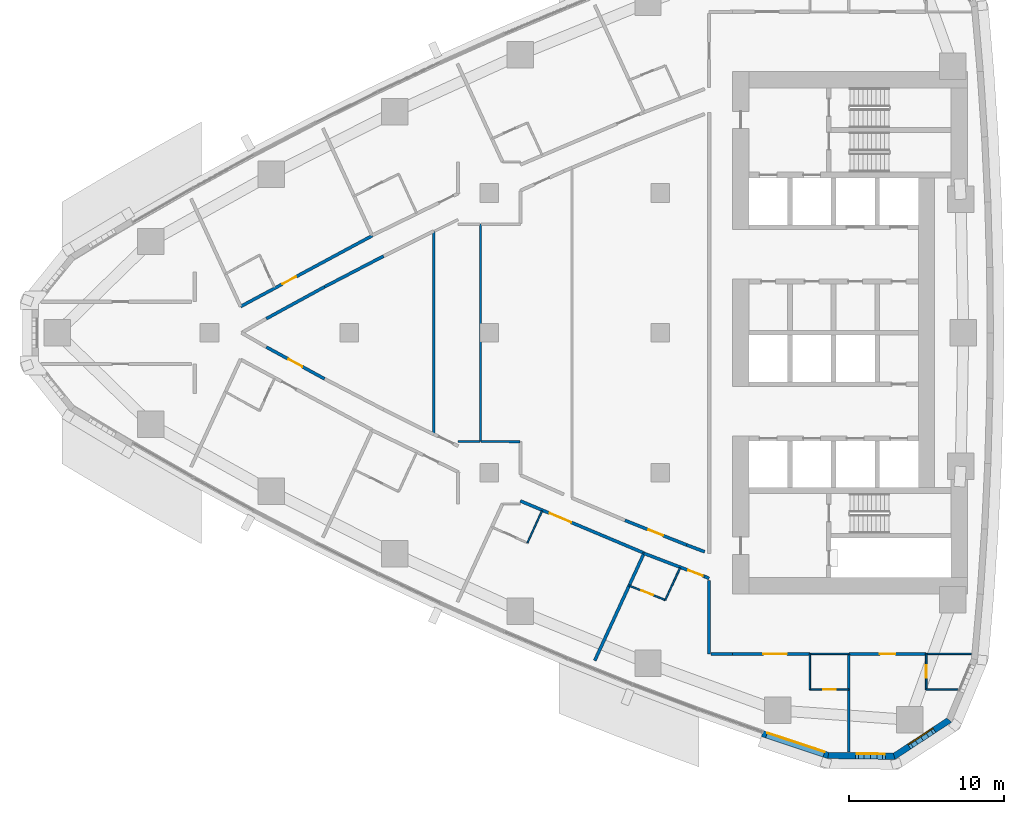
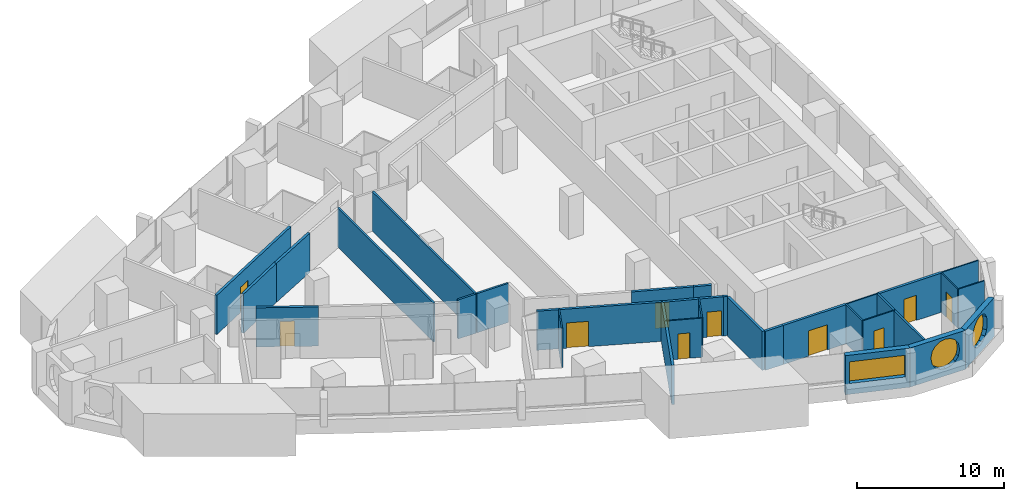
# One storey, part 9 of 17: 31 walls, 10 doors, 3 windows, 13 openings.
"""IFC4 building model written with IfcOpenShell, lengths in metres."""

from ifc_helpers import new_model, si_unit, direction, frame, frame_2d, origin, place, context, subcontext, project, spatial, polyline, rectangle, outline, extrude, material, layer, layer_set, type_object, element, fill, save


model = new_model("IFC4")

# Units and contexts
model_context = context("Model", 3, precision=1e-05, world=origin(), true_north=direction((0.0, 1.0)))
body_context = subcontext(model_context, "Body", "Model", "MODEL_VIEW")
ifc_project = project(units=[si_unit("LENGTHUNIT", "METRE"), si_unit("AREAUNIT", "SQUARE_METRE"), si_unit("VOLUMEUNIT", "CUBIC_METRE"), si_unit("PLANEANGLEUNIT", "RADIAN"), si_unit("MASSUNIT", "GRAM", prefix="KILO")], contexts=[model_context])

# Site, building, storey
site_placement = place(None, origin())
site = spatial("IfcSite", under=ifc_project, at=site_placement, CompositionType="ELEMENT")
building_placement = place(site_placement, origin())
building = spatial("IfcBuilding", under=site, at=building_placement, Name="Ostrand Prow Hotel Tower", CompositionType="ELEMENT")
storey_placement = place(building_placement, frame((0.0, 0.0, 92.0)))
storey = spatial("IfcBuildingStorey", under=building, at=storey_placement, Name="L21", CompositionType="ELEMENT", Elevation=92.0)

# Wall
ifc_material_1 = material(Name="Plasterboard partition")
ifc_layer_1 = layer(ifc_material_1, 0.10009765625)
ifc_layer_set_1 = layer_set([ifc_layer_1], Name="Plasterboard partition")
wall_type_1 = type_object("IfcWallType", Name="Partition 100 bathroom wall", PredefinedType="PARTITIONING", material=ifc_layer_set_1)
wall_1_placement = place(storey_placement, frame((54.630615234375, -22.949951171875, 0.0), z_axis=(0.0, 0.0, 1.0), x_axis=(0.0, 1.0, 0.0)))
element("IfcWall", 1, at=wall_1_placement, inside=storey, type_object=wall_type_1, Name="BATHROOM WALL", PredefinedType="PARTITIONING", context=body_context, shape_type="SweptSolid", body=[
    extrude(rectangle(XDim=2.300048828125, YDim=0.10009765625, at=frame_2d((1.14990234375, 0.0))), origin(), (0.0, 0.0, 1.0), 3.25),
])

# Wall, opening, door
wall_2_placement = place(storey_placement, frame((57.130615234375, -22.949951171875, 0.0), z_axis=(0.0, 0.0, 1.0), x_axis=(-1.0, 0.0, 0.0)))
wall_2 = element("IfcWall", 2, at=wall_2_placement, inside=storey, type_object=wall_type_1, Name="BATHROOM WALL", PredefinedType="PARTITIONING", context=body_context, shape_type="SweptSolid", body=[
    extrude(rectangle(XDim=2.5, YDim=0.10009765625, at=frame_2d((1.25, 0.0))), origin(), (0.0, 0.0, 1.0), 3.25),
])
opening_1_placement = place(wall_2_placement, frame((0.85009765625, 0.0, 0.0)))
opening_1 = element("IfcOpeningElement", 3, at=opening_1_placement, cuts=wall_2, Name="Opening D2", PredefinedType="OPENING", context=body_context, shape_type="SweptSolid", body=[
    extrude(rectangle(XDim=0.800048828125, YDim=2.10009765625, at=frame_2d((0.39990234375, 1.050048828125))), frame((0.0, 0.06005859375, 0.0), z_axis=(0.0, -1.0, 0.0), x_axis=(1.0, 0.0, 0.0)), (0.0, 0.0, 1.0), 0.1201171875),
])
ifc_material_2 = material(Name="Timber door leaf", Category="wood")
door_type_1 = type_object("IfcDoorType", Name="Bathroom door 800", OperationType="SINGLE_SWING_LEFT", PredefinedType="DOOR", material=ifc_material_2)
door_1_placement = place(opening_1_placement, origin())
door_1 = element("IfcDoor", 4, at=door_1_placement, inside=storey, type_object=door_type_1, Name="DOOR", OperationType="SINGLE_SWING_LEFT", OverallHeight=2.10009765625, OverallWidth=0.800048828125, PredefinedType="DOOR", context=body_context, shape_type="SweptSolid", body=[
    extrude(rectangle(XDim=0.800048828125, YDim=2.10009765625, at=frame_2d((0.39990234375, 1.050048828125))), frame((0.0, 0.02490234375, 0.0), z_axis=(0.0, -1.0, 0.0), x_axis=(1.0, 0.0, 0.0)), (0.0, 0.0, 1.0), 0.050048828125),
])
fill(opening_1, door_1)

# Wall
wall_3_placement = place(storey_placement, frame((64.160400390625, -22.949951171875, 0.0), z_axis=(0.0, 0.0, 1.0), x_axis=(-1.0, 0.0, 0.0)))
element("IfcWall", 5, at=wall_3_placement, inside=storey, type_object=wall_type_1, Name="BATHROOM WALL", PredefinedType="PARTITIONING", context=body_context, shape_type="SweptSolid", body=[
    extrude(rectangle(XDim=2.04931640625, YDim=0.10009765625, at=frame_2d((1.024658203125, 0.0))), origin(), (0.0, 0.0, 1.0), 3.25),
])

# Wall, opening, door
wall_4_placement = place(storey_placement, frame((62.111083984375, -22.949951171875, 0.0), z_axis=(0.0, 0.0, 1.0), x_axis=(0.0, 1.0, 0.0)))
wall_4 = element("IfcWall", 6, at=wall_4_placement, inside=storey, type_object=wall_type_1, Name="BATHROOM WALL", PredefinedType="PARTITIONING", context=body_context, shape_type="SweptSolid", body=[
    extrude(rectangle(XDim=2.300048828125, YDim=0.10009765625, at=frame_2d((1.14990234375, 0.0))), origin(), (0.0, 0.0, 1.0), 3.25),
])
opening_2_placement = place(wall_4_placement, frame((0.75, 0.0, 0.0)))
opening_2 = element("IfcOpeningElement", 7, at=opening_2_placement, cuts=wall_4, Name="Opening D2", PredefinedType="OPENING", context=body_context, shape_type="SweptSolid", body=[
    extrude(rectangle(XDim=0.800048828125, YDim=2.10009765625, at=frame_2d((0.39990234375, 1.050048828125))), frame((0.0, 0.06005859375, 0.0), z_axis=(0.0, -1.0, 0.0), x_axis=(1.0, 0.0, 0.0)), (0.0, 0.0, 1.0), 0.1201171875),
])
door_2_placement = place(opening_2_placement, origin())
door_2 = element("IfcDoor", 8, at=door_2_placement, inside=storey, type_object=door_type_1, Name="DOOR", OperationType="SINGLE_SWING_LEFT", OverallHeight=2.10009765625, OverallWidth=0.800048828125, PredefinedType="DOOR", context=body_context, shape_type="SweptSolid", body=[
    extrude(rectangle(XDim=0.800048828125, YDim=2.10009765625, at=frame_2d((0.39990234375, 1.050048828125))), frame((0.0, 0.02490234375, 0.0), z_axis=(0.0, -1.0, 0.0), x_axis=(1.0, 0.0, 0.0)), (0.0, 0.0, 1.0), 0.050048828125),
])
fill(opening_2, door_2)

# Walls
wall_5_placement = place(storey_placement, frame((37.400390625, -11.443359375, 0.0), z_axis=(0.0, 0.0, 1.0), x_axis=(-0.417466676952, -0.908692232626, 0.0)))
element("IfcWall", 9, at=wall_5_placement, inside=storey, type_object=wall_type_1, Name="BATHROOM WALL", PredefinedType="PARTITIONING", context=body_context, shape_type="SweptSolid", body=[
    extrude(rectangle(XDim=2.27734375, YDim=0.10009765625, at=frame_2d((1.138671875, 0.0))), origin(), (0.0, 0.0, 1.0), 3.25),
])
wall_6_placement = place(storey_placement, frame((46.277587890625, -15.116455078125, 0.0), z_axis=(0.0, 0.0, 1.0), x_axis=(-0.417409478396, -0.90871850831, 0.0)))
element("IfcWall", 10, at=wall_6_placement, inside=storey, type_object=wall_type_1, Name="BATHROOM WALL", PredefinedType="PARTITIONING", context=body_context, shape_type="SweptSolid", body=[
    extrude(rectangle(XDim=2.282958984375, YDim=0.10009765625, at=frame_2d((1.1416015625, 0.0))), origin(), (0.0, 0.0, 1.0), 3.25),
])

# Wall, opening, door
wall_7_placement = place(storey_placement, frame((45.3212890625, -17.189697265625, 0.0), z_axis=(0.0, 0.0, 1.0), x_axis=(-0.928618072339, 0.371037027431, 0.0)))
wall_7 = element("IfcWall", 11, at=wall_7_placement, inside=storey, type_object=wall_type_1, Name="BATHROOM WALL", PredefinedType="PARTITIONING", context=body_context, shape_type="SweptSolid", body=[
    extrude(rectangle(XDim=2.499755859375, YDim=0.10009765625, at=frame_2d((1.25, 0.0))), origin(), (0.0, 0.0, 1.0), 3.25),
])
opening_3_placement = place(wall_7_placement, frame((0.85009765625, 0.0, 0.0)))
opening_3 = element("IfcOpeningElement", 12, at=opening_3_placement, cuts=wall_7, Name="Opening D2", PredefinedType="OPENING", context=body_context, shape_type="SweptSolid", body=[
    extrude(rectangle(XDim=0.800048828125, YDim=2.10009765625, at=frame_2d((0.39990234375, 1.050048828125))), frame((0.0, 0.06005859375, 0.0), z_axis=(0.0, -1.0, 0.0), x_axis=(1.0, 0.0, 0.0)), (0.0, 0.0, 1.0), 0.1201171875),
])
door_3_placement = place(opening_3_placement, origin())
door_3 = element("IfcDoor", 13, at=door_3_placement, inside=storey, type_object=door_type_1, Name="DOOR", OperationType="SINGLE_SWING_LEFT", OverallHeight=2.10009765625, OverallWidth=0.800048828125, PredefinedType="DOOR", context=body_context, shape_type="SweptSolid", body=[
    extrude(rectangle(XDim=0.800048828125, YDim=2.10009765625, at=frame_2d((0.39990234375, 1.050048828125))), frame((0.0, 0.02490234375, 0.0), z_axis=(0.0, -1.0, 0.0), x_axis=(1.0, 0.0, 0.0)), (0.0, 0.0, 1.0), 0.050048828125),
])
fill(opening_3, door_3)

# Walls
wall_8_placement = place(storey_placement, frame((54.630615234375, -20.655029296875, 0.0), z_axis=(0.0, 0.0, 1.0), x_axis=(1.0, 0.0, 0.0)))
element("IfcWall", 14, at=wall_8_placement, inside=storey, type_object=wall_type_1, Name="BATHROOM WALL", PredefinedType="PARTITIONING", context=body_context, shape_type="SweptSolid", body=[
    extrude(rectangle(XDim=2.5, YDim=0.10009765625, at=frame_2d((1.25, 0.0))), origin(), (0.0, 0.0, 1.0), 3.25),
])
wall_9_placement = place(storey_placement, frame((62.111083984375, -20.655029296875, 0.0), z_axis=(0.0, 0.0, 1.0), x_axis=(1.0, 0.0, 0.0)))
element("IfcWall", 15, at=wall_9_placement, inside=storey, type_object=wall_type_1, Name="BATHROOM WALL", PredefinedType="PARTITIONING", context=body_context, shape_type="SweptSolid", body=[
    extrude(rectangle(XDim=2.90576171875, YDim=0.10009765625, at=frame_2d((1.452880859375, 0.0))), origin(), (0.0, 0.0, 1.0), 3.25),
])
ifc_material_3 = material(Name="Plasterboard partition")
ifc_layer_2 = layer(ifc_material_3, 0.14990234375)
ifc_layer_set_2 = layer_set([ifc_layer_2], Name="Plasterboard partition")
wall_type_2 = type_object("IfcWallType", Name="Partition 150 room partition", PredefinedType="PARTITIONING", material=ifc_layer_set_2)
wall_10_placement = place(storey_placement, frame((57.130615234375, -26.97900390625, 0.0), z_axis=(0.0, 0.0, 1.0), x_axis=(0.0, 1.0, 0.0)))
element("IfcWall", 16, at=wall_10_placement, inside=storey, type_object=wall_type_2, Name="ROOM PARTITION", PredefinedType="PARTITIONING", context=body_context, shape_type="SweptSolid", body=[
    extrude(rectangle(XDim=6.3291015625, YDim=0.14990234375, at=frame_2d((3.16455078125, 0.0))), origin(), (0.0, 0.0, 1.0), 3.25),
])
wall_11_placement = place(storey_placement, frame((30.4296875, -6.53857421875, 0.0), z_axis=(0.0, 0.0, 1.0), x_axis=(0.0, 1.0, 0.0)))
element("IfcWall", 17, at=wall_11_placement, inside=storey, type_object=wall_type_2, Name="ROOM PARTITION", PredefinedType="PARTITIONING", context=body_context, shape_type="SweptSolid", body=[
    extrude(rectangle(XDim=13.0771484375, YDim=0.14990234375, at=frame_2d((6.53857421875, 0.0))), origin(), (0.0, 0.0, 1.0), 3.25),
])
wall_12_placement = place(storey_placement, frame((33.4296875, -7.0, 0.0), z_axis=(0.0, 0.0, 1.0), x_axis=(0.0, 1.0, 0.0)))
element("IfcWall", 18, at=wall_12_placement, inside=storey, type_object=wall_type_2, Name="ROOM PARTITION", PredefinedType="PARTITIONING", context=body_context, shape_type="SweptSolid", body=[
    extrude(rectangle(XDim=14.0, YDim=0.14990234375, at=frame_2d((7.0, 0.0))), origin(), (0.0, 0.0, 1.0), 3.25),
])
wall_13_placement = place(storey_placement, frame((33.3896484375, -6.9951171875, 0.0), z_axis=(0.0, 0.0, 1.0), x_axis=(-1.0, 0.0, 0.0)))
element("IfcWall", 19, at=wall_13_placement, inside=storey, type_object=wall_type_2, Name="ROOM PARTITION", PredefinedType="PARTITIONING", context=body_context, shape_type="SweptSolid", body=[
    extrude(rectangle(XDim=1.390625, YDim=0.14990234375, at=frame_2d((0.6953125, 0.0))), origin(), (0.0, 0.0, 1.0), 3.25),
])
wall_14_placement = place(storey_placement, frame((35.962890625, -6.995849609375, 0.0), z_axis=(0.0, 0.0, 1.0), x_axis=(-0.999999956849, 0.00029377202, 0.0)))
element("IfcWall", 20, at=wall_14_placement, inside=storey, type_object=wall_type_2, Name="ROOM PARTITION", PredefinedType="PARTITIONING", context=body_context, shape_type="SweptSolid", body=[
    extrude(rectangle(XDim=2.4931640625, YDim=0.14990234375, at=frame_2d((1.24658203125, 0.0))), origin(), (0.0, 0.0, 1.0), 3.25),
])

# Wall, opening, door
ifc_material_4 = material(Name="Plasterboard partition")
ifc_layer_3 = layer(ifc_material_4, 0.199951171875)
ifc_layer_set_3 = layer_set([ifc_layer_3], Name="Plasterboard partition")
wall_type_3 = type_object("IfcWallType", Name="Partition 200 corridor wall", PredefinedType="PARTITIONING", material=ifc_layer_set_3)
wall_15_placement = place(storey_placement, frame((18.0, 1.691650390625, 0.0), z_axis=(0.0, 0.0, 1.0), x_axis=(0.880624272242, 0.473815250006, 0.0)))
wall_15 = element("IfcWall", 21, at=wall_15_placement, inside=storey, type_object=wall_type_3, Name="CORRIDOR WALL", PredefinedType="PARTITIONING", context=body_context, shape_type="SweptSolid", body=[
    extrude(rectangle(XDim=9.618896484375, YDim=0.199951171875, at=frame_2d((4.8095703125, 0.0))), origin(), (0.0, 0.0, 1.0), 3.25),
])
opening_4_placement = place(wall_15_placement, frame((3.050048828125, 0.0, 0.0)))
opening_4 = element("IfcOpeningElement", 22, at=opening_4_placement, cuts=wall_15, Name="Opening D1R", PredefinedType="OPENING", context=body_context, shape_type="SweptSolid", body=[
    extrude(rectangle(XDim=1.0, YDim=2.10009765625, at=frame_2d((0.5, 1.050048828125))), frame((0.0, 0.10986328125, 0.0), z_axis=(0.0, -1.0, 0.0), x_axis=(1.0, 0.0, 0.0)), (0.0, 0.0, 1.0), 0.219970703125),
])
ifc_material_5 = material(Name="Timber door leaf", Category="wood")
door_type_2 = type_object("IfcDoorType", Name="Guest room door 1000 right", OperationType="SINGLE_SWING_RIGHT", PredefinedType="DOOR", material=ifc_material_5)
door_4_placement = place(opening_4_placement, origin())
door_4 = element("IfcDoor", 23, at=door_4_placement, inside=storey, type_object=door_type_2, Name="DOOR", OperationType="SINGLE_SWING_RIGHT", OverallHeight=2.10009765625, OverallWidth=1.0, PredefinedType="DOOR", context=body_context, shape_type="SweptSolid", body=[
    extrude(rectangle(XDim=1.0, YDim=2.10009765625, at=frame_2d((0.5, 1.050048828125))), frame((0.0, 0.02490234375, 0.0), z_axis=(0.0, -1.0, 0.0), x_axis=(1.0, 0.0, 0.0)), (0.0, 0.0, 1.0), 0.050048828125),
])
fill(opening_4, door_4)

wall_16_placement = place(storey_placement, frame((36.0, -10.814697265625, 0.0), z_axis=(0.0, 0.0, 1.0), x_axis=(0.921519373184, -0.388332389644, 0.0)))
wall_16 = element("IfcWall", 24, at=wall_16_placement, inside=storey, type_object=wall_type_3, Name="CORRIDOR WALL", PredefinedType="PARTITIONING", context=body_context, shape_type="SweptSolid", body=[
    extrude(rectangle(XDim=8.639404296875, YDim=0.199951171875, at=frame_2d((4.31982421875, 0.0))), origin(), (0.0, 0.0, 1.0), 3.25),
])
opening_5_placement = place(wall_16_placement, frame((2.050048828125, 0.0, 0.0)))
opening_5 = element("IfcOpeningElement", 25, at=opening_5_placement, cuts=wall_16, Name="Opening D15", PredefinedType="OPENING", context=body_context, shape_type="SweptSolid", body=[
    extrude(rectangle(XDim=1.5, YDim=2.10009765625, at=frame_2d((0.75, 1.050048828125))), frame((0.0, 0.10986328125, 0.0), z_axis=(0.0, -1.0, 0.0), x_axis=(1.0, 0.0, 0.0)), (0.0, 0.0, 1.0), 0.219970703125),
])
ifc_material_6 = material(Name="Timber door leaf", Category="wood")
door_type_3 = type_object("IfcDoorType", Name="Double door 1500", OperationType="DOUBLE_DOOR_SINGLE_SWING", PredefinedType="DOOR", material=ifc_material_6)
door_5_placement = place(opening_5_placement, origin())
door_5 = element("IfcDoor", 26, at=door_5_placement, inside=storey, type_object=door_type_3, Name="DOOR", OperationType="DOUBLE_DOOR_SINGLE_SWING", OverallHeight=2.10009765625, OverallWidth=1.5, PredefinedType="DOOR", context=body_context, shape_type="SweptSolid", body=[
    extrude(rectangle(XDim=1.5, YDim=2.10009765625, at=frame_2d((0.75, 1.050048828125))), frame((0.0, 0.02490234375, 0.0), z_axis=(0.0, -1.0, 0.0), x_axis=(1.0, 0.0, 0.0)), (0.0, 0.0, 1.0), 0.050048828125),
])
fill(opening_5, door_5)

wall_17_placement = place(storey_placement, frame((23.40673828125, -2.9619140625, 0.0), z_axis=(0.0, 0.0, 1.0), x_axis=(-0.877465075585, 0.479640533242, 0.0)))
wall_17 = element("IfcWall", 27, at=wall_17_placement, inside=storey, type_object=wall_type_3, Name="CORRIDOR WALL", PredefinedType="PARTITIONING", context=body_context, shape_type="SweptSolid", body=[
    extrude(rectangle(XDim=4.273193359375, YDim=0.199951171875, at=frame_2d((2.13671875, 0.0))), origin(), (0.0, 0.0, 1.0), 3.25),
])
opening_6_placement = place(wall_17_placement, frame((1.636474609375, 0.0, 0.0)))
opening_6 = element("IfcOpeningElement", 28, at=opening_6_placement, cuts=wall_17, Name="Opening D1R", PredefinedType="OPENING", context=body_context, shape_type="SweptSolid", body=[
    extrude(rectangle(XDim=1.0, YDim=2.10009765625, at=frame_2d((0.5, 1.050048828125))), frame((0.0, 0.10986328125, 0.0), z_axis=(0.0, -1.0, 0.0), x_axis=(1.0, 0.0, 0.0)), (0.0, 0.0, 1.0), 0.219970703125),
])
door_6_placement = place(opening_6_placement, origin())
door_6 = element("IfcDoor", 29, at=door_6_placement, inside=storey, type_object=door_type_2, Name="DOOR", OperationType="SINGLE_SWING_RIGHT", OverallHeight=2.10009765625, OverallWidth=1.0, PredefinedType="DOOR", context=body_context, shape_type="SweptSolid", body=[
    extrude(rectangle(XDim=1.0, YDim=2.10009765625, at=frame_2d((0.5, 1.050048828125))), frame((0.0, 0.02490234375, 0.0), z_axis=(0.0, -1.0, 0.0), x_axis=(1.0, 0.0, 0.0)), (0.0, 0.0, 1.0), 0.050048828125),
])
fill(opening_6, door_6)

# Walls
wall_18_placement = place(storey_placement, frame((19.6572265625, 0.912353515625, 0.0), z_axis=(0.0, 0.0, 1.0), x_axis=(0.877465075585, 0.479640533242, 0.0)))
element("IfcWall", 30, at=wall_18_placement, inside=storey, type_object=wall_type_3, Name="CORRIDOR WALL", PredefinedType="PARTITIONING", context=body_context, shape_type="SweptSolid", body=[
    extrude(rectangle(XDim=4.273193359375, YDim=0.199951171875, at=frame_2d((2.13671875, 0.0))), origin(), (0.0, 0.0, 1.0), 3.25),
])
wall_19_placement = place(storey_placement, frame((23.40673828125, 2.9619140625, 0.0), z_axis=(0.0, 0.0, 1.0), x_axis=(0.886899452904, 0.461962509775, 0.0)))
element("IfcWall", 31, at=wall_19_placement, inside=storey, type_object=wall_type_3, Name="CORRIDOR WALL", PredefinedType="PARTITIONING", context=body_context, shape_type="SweptSolid", body=[
    extrude(rectangle(XDim=4.272705078125, YDim=0.199951171875, at=frame_2d((2.13623046875, 0.0))), origin(), (0.0, 0.0, 1.0), 3.25),
])

# Wall, opening, door
wall_20_placement = place(storey_placement, frame((46.69580078125, -13.646728515625, 0.0), z_axis=(0.0, 0.0, 1.0), x_axis=(-0.928638161177, 0.370986745864, 0.0)))
wall_20 = element("IfcWall", 32, at=wall_20_placement, inside=storey, type_object=wall_type_3, Name="CORRIDOR WALL", PredefinedType="PARTITIONING", context=body_context, shape_type="SweptSolid", body=[
    extrude(rectangle(XDim=4.27294921875, YDim=0.199951171875, at=frame_2d((2.136474609375, 0.0))), origin(), (0.0, 0.0, 1.0), 3.25),
])
opening_7_placement = place(wall_20_placement, frame((1.636474609375, 0.0, 0.0)))
opening_7 = element("IfcOpeningElement", 33, at=opening_7_placement, cuts=wall_20, Name="Opening D1R", PredefinedType="OPENING", context=body_context, shape_type="SweptSolid", body=[
    extrude(rectangle(XDim=1.0, YDim=2.10009765625, at=frame_2d((0.5, 1.050048828125))), frame((0.0, 0.10986328125, 0.0), z_axis=(0.0, -1.0, 0.0), x_axis=(1.0, 0.0, 0.0)), (0.0, 0.0, 1.0), 0.219970703125),
])
door_7_placement = place(opening_7_placement, origin())
door_7 = element("IfcDoor", 34, at=door_7_placement, inside=storey, type_object=door_type_2, Name="DOOR", OperationType="SINGLE_SWING_RIGHT", OverallHeight=2.10009765625, OverallWidth=1.0, PredefinedType="DOOR", context=body_context, shape_type="SweptSolid", body=[
    extrude(rectangle(XDim=1.0, YDim=2.10009765625, at=frame_2d((0.5, 1.050048828125))), frame((0.0, 0.02490234375, 0.0), z_axis=(0.0, -1.0, 0.0), x_axis=(1.0, 0.0, 0.0)), (0.0, 0.0, 1.0), 0.050048828125),
])
fill(opening_7, door_7)

wall_21_placement = place(storey_placement, frame((49.64990234375, -20.655029296875, 0.0), z_axis=(0.0, 0.0, 1.0), x_axis=(1.0, 0.0, 0.0)))
wall_21 = element("IfcWall", 35, at=wall_21_placement, inside=storey, type_object=wall_type_3, Name="CORRIDOR WALL", PredefinedType="PARTITIONING", context=body_context, shape_type="SweptSolid", body=[
    extrude(rectangle(XDim=4.9755859375, YDim=0.199951171875, at=frame_2d((2.48779296875, 0.0))), origin(), (0.0, 0.0, 1.0), 3.25),
])
opening_8_placement = place(wall_21_placement, frame((1.98779296875, 0.0, 0.0)))
opening_8 = element("IfcOpeningElement", 36, at=opening_8_placement, cuts=wall_21, Name="Opening D15", PredefinedType="OPENING", context=body_context, shape_type="SweptSolid", body=[
    extrude(rectangle(XDim=1.5, YDim=2.10009765625, at=frame_2d((0.75, 1.050048828125))), frame((0.0, 0.10986328125, 0.0), z_axis=(0.0, -1.0, 0.0), x_axis=(1.0, 0.0, 0.0)), (0.0, 0.0, 1.0), 0.219970703125),
])
door_8_placement = place(opening_8_placement, origin())
door_8 = element("IfcDoor", 37, at=door_8_placement, inside=storey, type_object=door_type_3, Name="DOOR", OperationType="DOUBLE_DOOR_SINGLE_SWING", OverallHeight=2.10009765625, OverallWidth=1.5, PredefinedType="DOOR", context=body_context, shape_type="SweptSolid", body=[
    extrude(rectangle(XDim=1.5, YDim=2.10009765625, at=frame_2d((0.75, 1.050048828125))), frame((0.0, 0.02490234375, 0.0), z_axis=(0.0, -1.0, 0.0), x_axis=(1.0, 0.0, 0.0)), (0.0, 0.0, 1.0), 0.050048828125),
])
fill(opening_8, door_8)

wall_22_placement = place(storey_placement, frame((57.135498046875, -20.655029296875, 0.0), z_axis=(0.0, 0.0, 1.0), x_axis=(1.0, 0.0, 0.0)))
wall_22 = element("IfcWall", 38, at=wall_22_placement, inside=storey, type_object=wall_type_3, Name="CORRIDOR WALL", PredefinedType="PARTITIONING", context=body_context, shape_type="SweptSolid", body=[
    extrude(rectangle(XDim=4.970703125, YDim=0.199951171875, at=frame_2d((2.4853515625, 0.0))), origin(), (0.0, 0.0, 1.0), 3.25),
])
opening_9_placement = place(wall_22_placement, frame((1.9853515625, 0.0, 0.0)))
opening_9 = element("IfcOpeningElement", 39, at=opening_9_placement, cuts=wall_22, Name="Opening D1R", PredefinedType="OPENING", context=body_context, shape_type="SweptSolid", body=[
    extrude(rectangle(XDim=1.0, YDim=2.10009765625, at=frame_2d((0.5, 1.050048828125))), frame((0.0, 0.10986328125, 0.0), z_axis=(0.0, -1.0, 0.0), x_axis=(1.0, 0.0, 0.0)), (0.0, 0.0, 1.0), 0.219970703125),
])
door_9_placement = place(opening_9_placement, origin())
door_9 = element("IfcDoor", 40, at=door_9_placement, inside=storey, type_object=door_type_2, Name="DOOR", OperationType="SINGLE_SWING_RIGHT", OverallHeight=2.10009765625, OverallWidth=1.0, PredefinedType="DOOR", context=body_context, shape_type="SweptSolid", body=[
    extrude(rectangle(XDim=1.0, YDim=2.10009765625, at=frame_2d((0.5, 1.050048828125))), frame((0.0, 0.02490234375, 0.0), z_axis=(0.0, -1.0, 0.0), x_axis=(1.0, 0.0, 0.0)), (0.0, 0.0, 1.0), 0.050048828125),
])
fill(opening_9, door_9)

wall_23_placement = place(storey_placement, frame((43.952880859375, -14.187744140625, 0.0), z_axis=(0.0, 0.0, 1.0), x_axis=(0.934288494055, -0.356517895592, 0.0)))
wall_23 = element("IfcWall", 41, at=wall_23_placement, inside=storey, type_object=wall_type_3, Name="CORRIDOR WALL", PredefinedType="PARTITIONING", context=body_context, shape_type="SweptSolid", body=[
    extrude(rectangle(XDim=4.176513671875, YDim=0.199951171875, at=frame_2d((2.08837890625, 0.0))), origin(), (0.0, 0.0, 1.0), 3.25),
])
opening_10_placement = place(wall_23_placement, frame((3.050048828125, 0.0, 0.0)))
opening_10 = element("IfcOpeningElement", 42, at=opening_10_placement, cuts=wall_23, Name="Opening D1", PredefinedType="OPENING", context=body_context, shape_type="SweptSolid", body=[
    extrude(rectangle(XDim=1.0, YDim=2.10009765625, at=frame_2d((0.5, 1.050048828125))), frame((0.0, 0.10986328125, 0.0), z_axis=(0.0, -1.0, 0.0), x_axis=(1.0, 0.0, 0.0)), (0.0, 0.0, 1.0), 0.219970703125),
])
ifc_material_7 = material(Name="Timber door leaf", Category="wood")
door_type_4 = type_object("IfcDoorType", Name="Guest room door 1000", OperationType="SINGLE_SWING_LEFT", PredefinedType="DOOR", material=ifc_material_7)
door_10_placement = place(opening_10_placement, origin())
door_10 = element("IfcDoor", 43, at=door_10_placement, inside=storey, type_object=door_type_4, Name="DOOR", OperationType="SINGLE_SWING_LEFT", OverallHeight=2.10009765625, OverallWidth=1.0, PredefinedType="DOOR", context=body_context, shape_type="SweptSolid", body=[
    extrude(rectangle(XDim=1.0, YDim=2.10009765625, at=frame_2d((0.5, 1.050048828125))), frame((0.0, 0.02490234375, 0.0), z_axis=(0.0, -1.0, 0.0), x_axis=(1.0, 0.0, 0.0)), (0.0, 0.0, 1.0), 0.050048828125),
])
fill(opening_10, door_10)

# Walls
wall_24_placement = place(storey_placement, frame((47.85498046875, -14.0830078125, 0.0), z_axis=(0.0, 0.0, 1.0), x_axis=(-0.935907269358, 0.352246480696, 0.0)))
element("IfcWall", 44, at=wall_24_placement, inside=storey, type_object=wall_type_3, Name="CORRIDOR WALL", PredefinedType="PARTITIONING", context=body_context, shape_type="SweptSolid", body=[
    extrude(rectangle(XDim=1.238525390625, YDim=0.199951171875, at=frame_2d((0.619140625, 0.0))), origin(), (0.0, 0.0, 1.0), 3.25),
])
wall_25_placement = place(storey_placement, frame((47.85498046875, -15.6767578125, 0.0), z_axis=(0.0, 0.0, 1.0), x_axis=(0.919863783517, -0.392237963199, 0.0)))
element("IfcWall", 45, at=wall_25_placement, inside=storey, type_object=wall_type_3, Name="CORRIDOR WALL", PredefinedType="PARTITIONING", context=body_context, shape_type="SweptSolid", body=[
    extrude(rectangle(XDim=0.315673828125, YDim=0.199951171875, at=frame_2d((0.15771484375, 0.0))), origin(), (0.0, 0.0, 1.0), 3.25),
])
wall_26_placement = place(storey_placement, frame((48.145263671875, -15.92041015625, 0.0), z_axis=(0.0, 0.0, 1.0), x_axis=(-5.1610239e-05, -0.999999998668, 0.0)))
element("IfcWall", 46, at=wall_26_placement, inside=storey, type_object=wall_type_3, Name="CORRIDOR WALL", PredefinedType="PARTITIONING", context=body_context, shape_type="SweptSolid", body=[
    extrude(rectangle(XDim=4.73046875, YDim=0.199951171875, at=frame_2d((2.365234375, 0.0))), origin(), (0.0, 0.0, 1.0), 3.25),
])
wall_27_placement = place(storey_placement, frame((48.26513671875, -20.6513671875, 0.0), z_axis=(0.0, 0.0, 1.0), x_axis=(0.999996503144, -0.002644560569, 0.0)))
element("IfcWall", 47, at=wall_27_placement, inside=storey, type_object=wall_type_3, Name="CORRIDOR WALL", PredefinedType="PARTITIONING", context=body_context, shape_type="SweptSolid", body=[
    extrude(rectangle(XDim=1.384765625, YDim=0.199951171875, at=frame_2d((0.6923828125, 0.0))), origin(), (0.0, 0.0, 1.0), 3.25),
])
ifc_material_8 = material(Name="Plasterboard partition")
ifc_layer_4 = layer(ifc_material_8, 0.199951171875)
ifc_layer_set_4 = layer_set([ifc_layer_4], Name="Plasterboard partition")
wall_type_4 = type_object("IfcWallType", Name="Partition 200 key partition", PredefinedType="PARTITIONING", material=ifc_layer_set_4)
wall_28_placement = place(storey_placement, frame((40.784912109375, -21.084716796875, 0.0), z_axis=(0.0, 0.0, 1.0), x_axis=(0.417427858403, 0.908710065438, 0.0)))
element("IfcWall", 48, at=wall_28_placement, inside=storey, type_object=wall_type_4, Name="KEY PARTITION", PredefinedType="PARTITIONING", context=body_context, shape_type="SweptSolid", body=[
    extrude(rectangle(XDim=7.609619140625, YDim=0.199951171875, at=frame_2d((3.8046875, 0.0))), origin(), (0.0, 0.0, 1.0), 3.25),
])

# Wall, opening, window
ifc_material_9 = material(Name="Precast concrete C40/50", Category="concrete")
ifc_layer_5 = layer(ifc_material_9, 0.39990234375)
ifc_layer_set_5 = layer_set([ifc_layer_5], Name="Precast concrete C40/50")
wall_type_5 = type_object("IfcWallType", Name="Stone-faced precast wall 400 mm", PredefinedType="NOTDEFINED", material=ifc_layer_set_5)
wall_29_placement = place(storey_placement, frame((51.56884765625, -25.786865234375, 0.0), z_axis=(0.0, 0.0, 1.0), x_axis=(0.94925004851, -0.314522408429, 0.0)))
wall_29 = element("IfcWall", 49, at=wall_29_placement, inside=storey, type_object=wall_type_5, Name="Stone-faced wall back 1", PredefinedType="NOTDEFINED", context=body_context, shape_type="SweptSolid", body=[
    extrude(outline(polyline([(0.0, -0.199951171875), (4.4990234375, -0.199951171875), (4.43701171875, 0.199951171875), (0.0, 0.199951171875), (0.0, -0.199951171875)])), origin(), (0.0, 0.0, 1.0), 3.25),
])
opening_11_placement = place(wall_29_placement, frame((0.283935546875, 0.0, 0.89990234375)))
opening_11 = element("IfcOpeningElement", 50, at=opening_11_placement, cuts=wall_29, Name="Opening WS3-39", PredefinedType="OPENING", context=body_context, shape_type="SweptSolid", body=[
    extrude(rectangle(XDim=3.89990234375, YDim=1.800048828125, at=frame_2d((1.949951171875, 0.89990234375))), frame((0.0, 0.2099609375, 0.0), z_axis=(0.0, -1.0, 0.0), x_axis=(1.0, 0.0, 0.0)), (0.0, 0.0, 1.0), 0.419921875),
])
ifc_material_10 = material(Name="Insulated glass in bronze frame", Category="glass")
window_type_1 = type_object("IfcWindowType", Name="Strip window 3900x1800", PartitioningType="SINGLE_PANEL", PredefinedType="WINDOW", material=ifc_material_10)
window_1_placement = place(opening_11_placement, origin())
window_1 = element("IfcWindow", 51, at=window_1_placement, inside=storey, type_object=window_type_1, Name="Window back 1.1", OverallHeight=1.800048828125, OverallWidth=3.89990234375, PartitioningType="SINGLE_PANEL", PredefinedType="WINDOW", context=body_context, shape_type="SweptSolid", body=[
    extrude(rectangle(XDim=3.89990234375, YDim=1.800048828125, at=frame_2d((1.949951171875, 0.89990234375))), frame((0.0, 0.169921875, 0.0), z_axis=(0.0, -1.0, 0.0), x_axis=(1.0, 0.0, 0.0)), (0.0, 0.0, 1.0), 0.06005859375),
])
fill(opening_11, window_1)

wall_30_placement = place(storey_placement, frame((55.81005859375, -27.192138671875, 0.0), z_axis=(0.0, 0.0, 1.0), x_axis=(0.999919718849, -0.012671063772, 0.0)))
wall_30 = element("IfcWall", 52, at=wall_30_placement, inside=storey, type_object=wall_type_5, Name="Stone-faced wall back 2", PredefinedType="NOTDEFINED", context=body_context, shape_type="SweptSolid", body=[
    extrude(outline(polyline([(-0.031005859375, -0.199951171875), (4.300048828125, -0.199951171875), (4.177490234375, 0.199951171875), (0.031005859375, 0.199951171875), (-0.031005859375, -0.199951171875)])), origin(), (0.0, 0.0, 1.0), 3.25),
])
opening_12_placement = place(wall_30_placement, frame((1.620849609375, 0.0, 0.60009765625)))
opening_12 = element("IfcOpeningElement", 53, at=opening_12_placement, cuts=wall_30, Name="Opening WP1", PredefinedType="OPENING", context=body_context, shape_type="SweptSolid", body=[
    extrude(outline(polyline([(0.0, 1.35009765625), (0.083740234375, 1.77099609375), (0.322265625, 2.127685546875), (0.678955078125, 2.3662109375), (1.10009765625, 2.449951171875), (1.52099609375, 2.3662109375), (1.877685546875, 2.127685546875), (2.1162109375, 1.77099609375), (2.199951171875, 1.35009765625), (2.199951171875, 1.10009765625), (2.1162109375, 0.678955078125), (1.877685546875, 0.322265625), (1.52099609375, 0.083740234375), (1.10009765625, 0.0), (0.678955078125, 0.083740234375), (0.322265625, 0.322265625), (0.083740234375, 0.678955078125), (0.0, 1.099853515625), (0.0, 1.35009765625)])), frame((0.0, 0.2099609375, 0.0), z_axis=(0.0, -1.0, 0.0), x_axis=(1.0, 0.0, 0.0)), (0.0, 0.0, 1.0), 0.419921875),
])
ifc_material_11 = material(Name="Insulated glass in bronze frame", Category="glass")
window_type_2 = type_object("IfcWindowType", Name="Round-ended prow window 2200x2450", PartitioningType="SINGLE_PANEL", PredefinedType="WINDOW", material=ifc_material_11)
window_2_placement = place(opening_12_placement, origin())
window_2 = element("IfcWindow", 54, at=window_2_placement, inside=storey, type_object=window_type_2, Name="Window back 2.1", OverallHeight=2.449951171875, OverallWidth=2.199951171875, PartitioningType="SINGLE_PANEL", PredefinedType="WINDOW", context=body_context, shape_type="SweptSolid", body=[
    extrude(outline(polyline([(0.0, 1.35009765625), (0.083740234375, 1.77099609375), (0.322265625, 2.127685546875), (0.678955078125, 2.3662109375), (1.10009765625, 2.449951171875), (1.52099609375, 2.3662109375), (1.877685546875, 2.127685546875), (2.1162109375, 1.77099609375), (2.199951171875, 1.35009765625), (2.199951171875, 1.10009765625), (2.1162109375, 0.678955078125), (1.877685546875, 0.322265625), (1.52099609375, 0.083740234375), (1.10009765625, 0.0), (0.678955078125, 0.083740234375), (0.322265625, 0.322265625), (0.083740234375, 0.678955078125), (0.0, 1.099853515625), (0.0, 1.35009765625)])), frame((0.0, 0.169921875, 0.0), z_axis=(0.0, -1.0, 0.0), x_axis=(1.0, 0.0, 0.0)), (0.0, 0.0, 1.0), 0.06005859375),
])
fill(opening_12, window_2)

wall_31_placement = place(storey_placement, frame((60.048583984375, -27.245849609375, 0.0), z_axis=(0.0, 0.0, 1.0), x_axis=(0.835340523653, 0.549732852887, 0.0)))
wall_31 = element("IfcWall", 55, at=wall_31_placement, inside=storey, type_object=wall_type_5, Name="Stone-faced wall back 3", PredefinedType="NOTDEFINED", context=body_context, shape_type="SweptSolid", body=[
    extrude(outline(polyline([(-0.061279296875, -0.199951171875), (4.30029296875, -0.199951171875), (4.177734375, 0.199951171875), (0.061279296875, 0.199951171875), (-0.061279296875, -0.199951171875)])), origin(), (0.0, 0.0, 1.0), 3.25),
])
opening_13_placement = place(wall_31_placement, frame((1.01953125, 0.0, 0.60009765625)))
opening_13 = element("IfcOpeningElement", 56, at=opening_13_placement, cuts=wall_31, Name="Opening WP1", PredefinedType="OPENING", context=body_context, shape_type="SweptSolid", body=[
    extrude(outline(polyline([(0.0, 1.35009765625), (0.083740234375, 1.77099609375), (0.322265625, 2.127685546875), (0.678955078125, 2.3662109375), (1.10009765625, 2.449951171875), (1.52099609375, 2.3662109375), (1.877685546875, 2.127685546875), (2.1162109375, 1.77099609375), (2.199951171875, 1.35009765625), (2.199951171875, 1.10009765625), (2.1162109375, 0.678955078125), (1.877685546875, 0.322265625), (1.52099609375, 0.083740234375), (1.10009765625, 0.0), (0.678955078125, 0.083740234375), (0.322265625, 0.322265625), (0.083740234375, 0.678955078125), (0.0, 1.099853515625), (0.0, 1.35009765625)])), frame((0.0, 0.2099609375, 0.0), z_axis=(0.0, -1.0, 0.0), x_axis=(1.0, 0.0, 0.0)), (0.0, 0.0, 1.0), 0.419921875),
])
window_3_placement = place(opening_13_placement, origin())
window_3 = element("IfcWindow", 57, at=window_3_placement, inside=storey, type_object=window_type_2, Name="Window back 3.1", OverallHeight=2.449951171875, OverallWidth=2.199951171875, PartitioningType="SINGLE_PANEL", PredefinedType="WINDOW", context=body_context, shape_type="SweptSolid", body=[
    extrude(outline(polyline([(0.0, 1.35009765625), (0.083740234375, 1.77099609375), (0.322265625, 2.127685546875), (0.678955078125, 2.3662109375), (1.10009765625, 2.449951171875), (1.52099609375, 2.3662109375), (1.877685546875, 2.127685546875), (2.1162109375, 1.77099609375), (2.199951171875, 1.35009765625), (2.199951171875, 1.10009765625), (2.1162109375, 0.678955078125), (1.877685546875, 0.322265625), (1.52099609375, 0.083740234375), (1.10009765625, 0.0), (0.678955078125, 0.083740234375), (0.322265625, 0.322265625), (0.083740234375, 0.678955078125), (0.0, 1.099853515625), (0.0, 1.35009765625)])), frame((0.0, 0.169921875, 0.0), z_axis=(0.0, -1.0, 0.0), x_axis=(1.0, 0.0, 0.0)), (0.0, 0.0, 1.0), 0.06005859375),
])
fill(opening_13, window_3)

save(model, "model.ifc")
